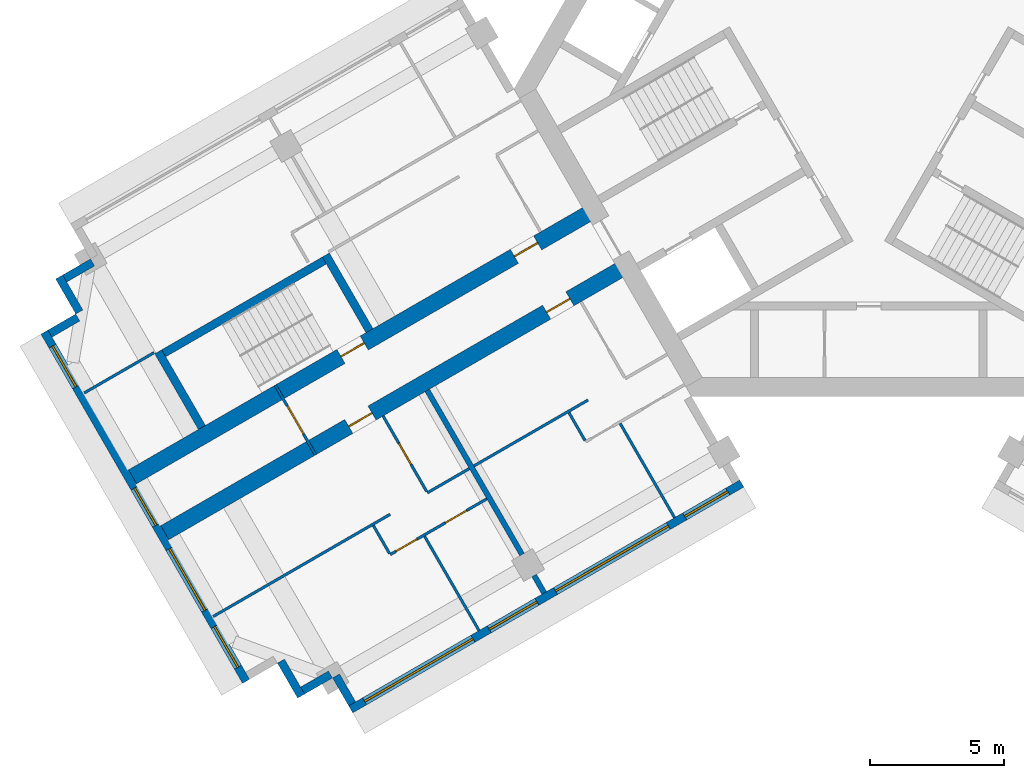
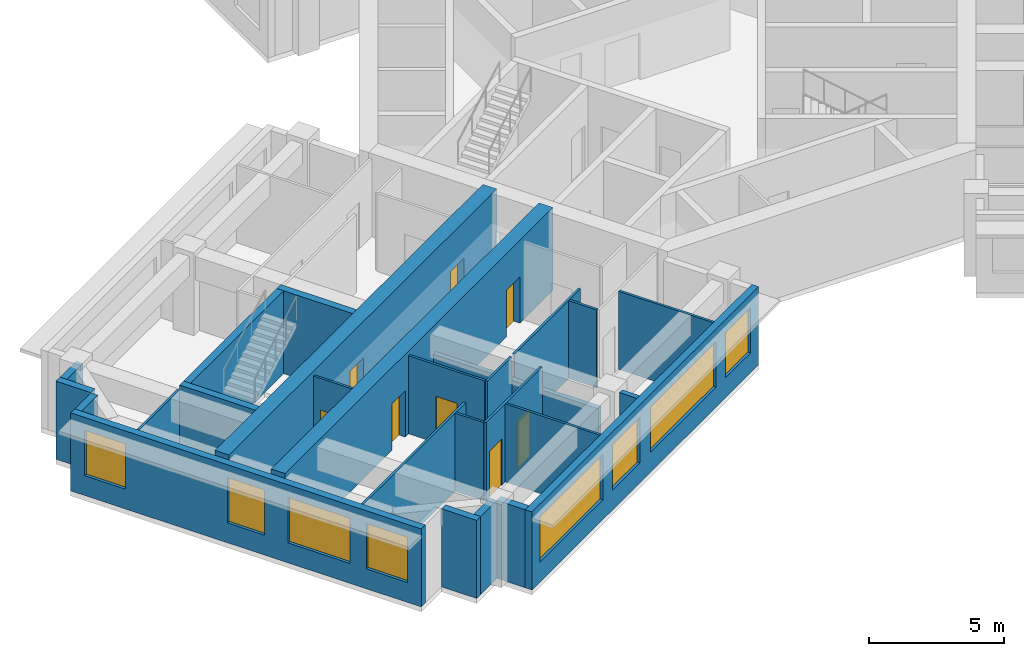
# One storey, part 2 of 10: 26 walls, 8 doors, 8 windows, 16 openings.
"""IFC4 building model written with IfcOpenShell, lengths in metres."""

import ifcopenshell
import ifcopenshell.guid

model = None  # the IFC model being written
_history = None  # IfcOwnerHistory: only IFC2X3 demands one
_inside = {}  # id of a spatial element -> (the spatial element, [elements in it])
_under = {}  # id of a project, library or spatial element -> (it, [spatial elements below it])
_declared = {}  # id of a project -> (the project, [libraries it declares])
_typed = {}  # id of a type object -> (the type object, [elements of that type])
_made_of = {}  # id of a material, layer set ... -> (it, [elements and type objects made of it])


def new_model(schema):
    """Start an empty IFC model of exactly this schema.

    Asked for "IFC4X3", IfcOpenShell would pick the latest addendum, in which some entities
    have other attributes; the version numbers below select the first issue.
    IFC2X3 requires an IfcOwnerHistory on every rooted entity: one is made here for all.
    """
    global model, _history
    if schema == "IFC4X3":
        model = ifcopenshell.file(schema_version=(4, 3, 0, 0))
    else:
        model = ifcopenshell.file(schema=schema)
    _inside.clear()
    _under.clear()
    _declared.clear()
    _typed.clear()
    _made_of.clear()
    _history = None
    if model.schema == "IFC2X3":
        org = make("IfcOrganization", Name="unknown")
        user = make(
            "IfcPersonAndOrganization",
            ThePerson=make("IfcPerson", FamilyName="unknown"),
            TheOrganization=org,
        )
        app = make(
            "IfcApplication",
            ApplicationDeveloper=org,
            Version="unknown",
            ApplicationFullName="unknown",
            ApplicationIdentifier="unknown",
        )
        _history = make(
            "IfcOwnerHistory",
            OwningUser=user,
            OwningApplication=app,
            ChangeAction="ADDED",
            CreationDate=0,
        )
    return model


def make(cls, **values):
    """One entity of the class cls with the attributes given. An attribute that is None is left unset."""
    return model.create_entity(
        cls, **{name: value for name, value in values.items() if value is not None}
    )


def rooted(cls, **values):
    """An entity with a GlobalId (a new one), such as an element, a storey or a relation."""
    return make(cls, GlobalId=ifcopenshell.guid.new(), OwnerHistory=_history, **values)


def si_unit(unit_type, name, prefix=None):
    """IfcSIUnit, for example si_unit("LENGTHUNIT", "METRE", prefix="MILLI")."""
    return make("IfcSIUnit", UnitType=unit_type, Prefix=prefix, Name=name)


def assignment(units):
    """IfcUnitAssignment: the units of a project."""
    return None if units is None else make("IfcUnitAssignment", Units=units)


def point(xyz):
    """IfcCartesianPoint."""
    return None if xyz is None else make("IfcCartesianPoint", Coordinates=xyz)


def direction(xyz):
    """IfcDirection."""
    return None if xyz is None else make("IfcDirection", DirectionRatios=xyz)


def frame(location, z_axis=None, x_axis=None):
    """IfcAxis2Placement3D, a coordinate frame: its origin and axes. An axis left out is left unset."""
    return make(
        "IfcAxis2Placement3D",
        Location=point(location),
        Axis=direction(z_axis),
        RefDirection=direction(x_axis),
    )


def frame_2d(location, x_axis=None):
    """IfcAxis2Placement2D, a coordinate frame in the plane: its origin and x axis."""
    return make(
        "IfcAxis2Placement2D", Location=point(location), RefDirection=direction(x_axis)
    )


def origin():
    """The frame at (0, 0, 0) with its axes left unset."""
    return frame((0.0, 0.0, 0.0))


def place(relative_to, where):
    """IfcLocalPlacement: puts the frame where relative to a parent placement (None: the world)."""
    return make(
        "IfcLocalPlacement", PlacementRelTo=relative_to, RelativePlacement=where
    )


def context(
    kind, dimensions, precision=None, world=None, true_north=None, identifier=None
):
    """IfcGeometricRepresentationContext, for example the 3D "Model" context."""
    return make(
        "IfcGeometricRepresentationContext",
        ContextIdentifier=identifier,
        ContextType=kind,
        CoordinateSpaceDimension=dimensions,
        Precision=precision,
        WorldCoordinateSystem=world,
        TrueNorth=true_north,
    )


def subcontext(parent, identifier, kind, view, scale=None):
    """IfcGeometricRepresentationSubContext, for example "Body" below "Model"."""
    return make(
        "IfcGeometricRepresentationSubContext",
        ContextIdentifier=identifier,
        ContextType=kind,
        ParentContext=parent,
        TargetScale=scale,
        TargetView=view,
    )


def project(units=None, contexts=None):
    """IfcProject with its units and contexts."""
    return rooted(
        "IfcProject",
        Name="project",
        RepresentationContexts=contexts,
        UnitsInContext=assignment(units),
    )


def spatial(cls, under=None, at=None, **own):
    """A site, building, storey or space (cls), placed at a placement, below another one or the project."""
    s = rooted(cls, ObjectPlacement=at, **own)
    if under is not None:
        _under.setdefault(under.id(), (under, []))[1].append(s)
    return s


def profile(cls, at=None, kind="AREA", **sizes):
    """A parametric profile (cls). Its sizes go by their IFC names, for example OverallWidth=200.0."""
    return make(cls, ProfileType=kind, Position=at, **sizes)


def rectangle(**sizes):
    """IfcRectangleProfileDef."""
    return profile("IfcRectangleProfileDef", **sizes)


def extrude(swept, where, along, depth):
    """IfcExtrudedAreaSolid: the profile swept, set in the frame where, extruded along a direction by depth."""
    return make(
        "IfcExtrudedAreaSolid",
        SweptArea=swept,
        Position=where,
        ExtrudedDirection=direction(along),
        Depth=depth,
    )


def shape(context_of_items, identifier, shape_type, items):
    """IfcShapeRepresentation: the items that make up one representation, for example the "Body"."""
    return make(
        "IfcShapeRepresentation",
        ContextOfItems=context_of_items,
        RepresentationIdentifier=identifier,
        RepresentationType=shape_type,
        Items=items,
    )


def material(Name=None, Category=None):
    """IfcMaterial."""
    return make("IfcMaterial", Name=Name, Category=Category)


def layer(
    of_material, thickness, ventilated=None, Name=None, Category=None, Priority=None
):
    """IfcMaterialLayer: one layer of a wall or slab, of a material (None: an air gap)."""
    return make(
        "IfcMaterialLayer",
        Material=of_material,
        LayerThickness=thickness,
        IsVentilated=ventilated,
        Name=Name,
        Category=Category,
        Priority=Priority,
    )


def layer_set(layers, Name=None):
    """IfcMaterialLayerSet."""
    return make("IfcMaterialLayerSet", MaterialLayers=layers, LayerSetName=Name)


def made_of(thing, what):
    """Note that an element or type object is made of a material, layer set ...; save() writes the relation."""
    if what is not None:
        _made_of.setdefault(what.id(), (what, []))[1].append(thing)
    return thing


def type_object(cls, material=None, **own):
    """A type object (cls), such as IfcWallType, which elements share."""
    return made_of(rooted(cls, **own), material)


def element(
    cls,
    number,
    at=None,
    inside=None,
    cuts=None,
    type_object=None,
    material=None,
    context=None,
    identifier="Body",
    shape_type=None,
    held_by="IfcProductDefinitionShape",
    body=None,
    shapes=None,
    **own,
):
    """One element of the class cls, such as IfcWall. Its Tag is "e" and its number.

    at: its placement. inside: the storey or other place that contains it. cuts: it is an
    opening in that element (IfcRelVoidsElement). A single representation is given by context,
    identifier, shape_type and body (its items); several are given by shapes. held_by: the class
    of the entity that holds the representations. save() writes the other relations.
    """
    e = rooted(cls, Tag="e%d" % number, ObjectPlacement=at, **own)
    if body is not None:
        shapes = [shape(context, identifier, shape_type, body)]
    if shapes is not None:
        e.Representation = make(held_by, Representations=shapes)
    if inside is not None:
        _inside.setdefault(inside.id(), (inside, []))[1].append(e)
    if cuts is not None:
        rooted(
            "IfcRelVoidsElement", RelatingBuildingElement=cuts, RelatedOpeningElement=e
        )
    if type_object is not None:
        _typed.setdefault(type_object.id(), (type_object, []))[1].append(e)
    return made_of(e, material)


def fill(opening, filler):
    """IfcRelFillsElement: the door or window that sits in an opening."""
    return rooted(
        "IfcRelFillsElement",
        RelatingOpeningElement=opening,
        RelatedBuildingElement=filler,
    )


def aggregate(whole, parts):
    """IfcRelAggregates: a whole, such as a stair, and the parts it consists of."""
    return rooted("IfcRelAggregates", RelatingObject=whole, RelatedObjects=parts)


def save(model, path):
    """Write the relations noted so far, then the file.

    IfcRelAggregates (storeys below a building ...), IfcRelContainedInSpatialStructure (elements
    in a storey), IfcRelDefinesByType, IfcRelAssociatesMaterial and IfcRelDeclares: one each for
    every whole, place, type object, material and project.
    """
    for whole, parts in _under.values():
        aggregate(whole, parts)
    for where, things in _inside.values():
        rooted(
            "IfcRelContainedInSpatialStructure",
            RelatedElements=things,
            RelatingStructure=where,
        )
    for kind, things in _typed.values():
        rooted("IfcRelDefinesByType", RelatedObjects=things, RelatingType=kind)
    for what, things in _made_of.values():
        rooted("IfcRelAssociatesMaterial", RelatedObjects=things, RelatingMaterial=what)
    for by, libraries in _declared.values():
        rooted("IfcRelDeclares", RelatingContext=by, RelatedDefinitions=libraries)
    model.write(path)


model = new_model("IFC4")

# Units and contexts
model_context = context("Model", 3, precision=1e-05, world=origin(), true_north=direction((0.0, 1.0)))
body_context = subcontext(model_context, "Body", "Model", "MODEL_VIEW")
ifc_project = project(units=[si_unit("LENGTHUNIT", "METRE"), si_unit("AREAUNIT", "SQUARE_METRE"), si_unit("VOLUMEUNIT", "CUBIC_METRE"), si_unit("PLANEANGLEUNIT", "RADIAN"), si_unit("MASSUNIT", "GRAM", prefix="KILO")], contexts=[model_context])

# Site, building, storey
site_placement = place(None, origin())
site = spatial("IfcSite", under=ifc_project, at=site_placement, CompositionType="ELEMENT")
building_placement = place(site_placement, origin())
building = spatial("IfcBuilding", under=site, at=building_placement, Name="Impinga Residences", CompositionType="ELEMENT")
storey_placement = place(building_placement, frame((0.0, 0.0, 252.25)))
storey = spatial("IfcBuildingStorey", under=building, at=storey_placement, Name="L63", CompositionType="ELEMENT", Elevation=252.25)

# Wall, openings, doors
ifc_material_1 = material(Name="Concrete C60/75", Category="concrete")
ifc_layer_1 = layer(ifc_material_1, 0.60009765625)
ifc_layer_set_1 = layer_set([ifc_layer_1], Name="Concrete C60/75")
wall_type_1 = type_object("IfcWallType", Name="BW3 corridor buttress wall, L46 to L73 600", PredefinedType="SHEAR", material=ifc_layer_set_1)
wall_1_placement = place(storey_placement, frame((-8.996826171875, -6.580078125, 0.0), z_axis=(0.0, 0.0, 1.0), x_axis=(-0.866030540451, -0.499991102927, 0.0)))
wall_1 = element("IfcWall", 1, at=wall_1_placement, inside=storey, type_object=wall_type_1, Name="Corridor wall BW3 WC L63", PredefinedType="SHEAR", context=body_context, shape_type="SweptSolid", body=[
    extrude(rectangle(XDim=19.849853515625, YDim=0.60009765625, at=frame_2d((9.9248046875, 0.0))), origin(), (0.0, 0.0, 1.0), 3.75),
])
opening_1_placement = place(wall_1_placement, frame((2.449951171875, 0.0, 0.0)))
opening_1 = element("IfcOpeningElement", 2, at=opening_1_placement, cuts=wall_1, Name="Opening D1", PredefinedType="OPENING", context=body_context, shape_type="SweptSolid", body=[
    extrude(rectangle(XDim=1.0, YDim=2.10009765625, at=frame_2d((0.5, 1.050048828125))), frame((0.0, 0.31005859375, 0.0), z_axis=(0.0, -1.0, 0.0), x_axis=(1.0, 0.0, 0.0)), (0.0, 0.0, 1.0), 0.6201171875),
])
opening_2_placement = place(wall_1_placement, frame((10.949951171875, 0.0, 0.0)))
opening_2 = element("IfcOpeningElement", 3, at=opening_2_placement, cuts=wall_1, Name="Opening D1", PredefinedType="OPENING", context=body_context, shape_type="SweptSolid", body=[
    extrude(rectangle(XDim=1.0, YDim=2.10009765625, at=frame_2d((0.5, 1.050048828125))), frame((0.0, 0.31005859375, 0.0), z_axis=(0.0, -1.0, 0.0), x_axis=(1.0, 0.0, 0.0)), (0.0, 0.0, 1.0), 0.6201171875),
])
ifc_material_2 = material(Name="Timber door set", Category="wood")
door_type_1 = type_object("IfcDoorType", Name="D1 apartment entrance door 1000x2100", OperationType="SINGLE_SWING_LEFT", PredefinedType="DOOR", material=ifc_material_2)
door_1_placement = place(opening_1_placement, origin())
door_1 = element("IfcDoor", 4, at=door_1_placement, inside=storey, type_object=door_type_1, Name="Apartment L63-WA1 entrance", OperationType="SINGLE_SWING_LEFT", OverallHeight=2.10009765625, OverallWidth=1.0, PredefinedType="DOOR", context=body_context, shape_type="SweptSolid", body=[
    extrude(rectangle(XDim=1.0, YDim=2.10009765625, at=frame_2d((0.5, 1.050048828125))), frame((0.0, 0.02490234375, 0.0), z_axis=(0.0, -1.0, 0.0), x_axis=(1.0, 0.0, 0.0)), (0.0, 0.0, 1.0), 0.050048828125),
])
fill(opening_1, door_1)
door_2_placement = place(opening_2_placement, origin())
door_2 = element("IfcDoor", 5, at=door_2_placement, inside=storey, type_object=door_type_1, Name="Apartment L63-WA2 entrance", OperationType="SINGLE_SWING_RIGHT", OverallHeight=2.10009765625, OverallWidth=1.0, PredefinedType="DOOR", context=body_context, shape_type="SweptSolid", body=[
    extrude(rectangle(XDim=1.0, YDim=2.10009765625, at=frame_2d((0.5, 1.050048828125))), frame((0.0, 0.02490234375, 0.0), z_axis=(0.0, -1.0, 0.0), x_axis=(1.0, 0.0, 0.0)), (0.0, 0.0, 1.0), 0.050048828125),
])
fill(opening_2, door_2)

wall_2_placement = place(storey_placement, frame((-10.19677734375, -4.50146484375, 0.0), z_axis=(0.0, 0.0, 1.0), x_axis=(-0.866025214745, -0.500000327426, 0.0)))
wall_2 = element("IfcWall", 6, at=wall_2_placement, inside=storey, type_object=wall_type_1, Name="Corridor wall BW3 WD L63", PredefinedType="SHEAR", context=body_context, shape_type="SweptSolid", body=[
    extrude(rectangle(XDim=19.85009765625, YDim=0.60009765625, at=frame_2d((9.925048828125, 0.0))), origin(), (0.0, 0.0, 1.0), 3.75),
])
opening_3_placement = place(wall_2_placement, frame((9.89990234375, 0.0, 0.0)))
opening_3 = element("IfcOpeningElement", 7, at=opening_3_placement, cuts=wall_2, Name="Opening D5", PredefinedType="OPENING", context=body_context, shape_type="SweptSolid", body=[
    extrude(rectangle(XDim=1.0, YDim=2.10009765625, at=frame_2d((0.5, 1.050048828125))), frame((0.0, 0.31005859375, 0.0), z_axis=(0.0, -1.0, 0.0), x_axis=(1.0, 0.0, 0.0)), (0.0, 0.0, 1.0), 0.6201171875),
])
opening_4_placement = place(wall_2_placement, frame((2.449951171875, 0.0, 0.0)))
opening_4 = element("IfcOpeningElement", 8, at=opening_4_placement, cuts=wall_2, Name="Opening D1", PredefinedType="OPENING", context=body_context, shape_type="SweptSolid", body=[
    extrude(rectangle(XDim=1.0, YDim=2.10009765625, at=frame_2d((0.5, 1.050048828125))), frame((0.0, 0.31005859375, 0.0), z_axis=(0.0, -1.0, 0.0), x_axis=(1.0, 0.0, 0.0)), (0.0, 0.0, 1.0), 0.6201171875),
])
door_3_placement = place(opening_4_placement, origin())
door_3 = element("IfcDoor", 9, at=door_3_placement, inside=storey, type_object=door_type_1, Name="Apartment L63-WF1 entrance", OperationType="SINGLE_SWING_LEFT", OverallHeight=2.10009765625, OverallWidth=1.0, PredefinedType="DOOR", context=body_context, shape_type="SweptSolid", body=[
    extrude(rectangle(XDim=1.0, YDim=2.10009765625, at=frame_2d((0.5, 1.050048828125))), frame((0.0, 0.02490234375, 0.0), z_axis=(0.0, -1.0, 0.0), x_axis=(1.0, 0.0, 0.0)), (0.0, 0.0, 1.0), 0.050048828125),
])
fill(opening_4, door_3)
door_type_2 = type_object("IfcDoorType", Name="D5 stair door 1000x2100", OperationType="SINGLE_SWING_LEFT", PredefinedType="DOOR", material=ifc_material_2)
door_4_placement = place(opening_3_placement, origin())
door_4 = element("IfcDoor", 10, at=door_4_placement, inside=storey, type_object=door_type_2, Name="Wing stair door W", OperationType="SINGLE_SWING_RIGHT", OverallHeight=2.10009765625, OverallWidth=1.0, PredefinedType="DOOR", context=body_context, shape_type="SweptSolid", body=[
    extrude(rectangle(XDim=1.0, YDim=2.10009765625, at=frame_2d((0.5, 1.050048828125))), frame((0.0, 0.02490234375, 0.0), z_axis=(0.0, -1.0, 0.0), x_axis=(1.0, 0.0, 0.0)), (0.0, 0.0, 1.0), 0.050048828125),
])
fill(opening_3, door_4)

# Wall, opening, door
ifc_material_3 = material(Name="Concrete blockwork", Category="masonry")
ifc_layer_2 = layer(ifc_material_3, 0.10009765625)
ifc_layer_set_2 = layer_set([ifc_layer_2], Name="CP1 core room partition, blockwork 100")
wall_type_2 = type_object("IfcWallType", Name="CP1 core room partition, blockwork 100", PredefinedType="PARTITIONING", material=ifc_layer_set_2)
wall_3_placement = place(storey_placement, frame((-20.58154296875, -13.61474609375, 0.0), z_axis=(0.0, 0.0, 1.0), x_axis=(-0.50002537861, 0.866010750942, 0.0)))
wall_3 = element("IfcWall", 11, at=wall_3_placement, inside=storey, type_object=wall_type_2, Name="Core room partition, blockwork L63:W:LNG", PredefinedType="PARTITIONING", context=body_context, shape_type="SweptSolid", body=[
    extrude(rectangle(XDim=2.999755859375, YDim=0.10009765625, at=frame_2d((1.5, 0.0))), origin(), (0.0, 0.0, 1.0), 3.530029296875),
])
opening_5_placement = place(wall_3_placement, frame((0.89990234375, 0.0, 0.0)))
opening_5 = element("IfcOpeningElement", 12, at=opening_5_placement, cuts=wall_3, Name="Opening D3", PredefinedType="OPENING", context=body_context, shape_type="SweptSolid", body=[
    extrude(rectangle(XDim=1.199951171875, YDim=2.10009765625, at=frame_2d((0.60009765625, 1.050048828125))), frame((0.0, 0.06005859375, 0.0), z_axis=(0.0, -1.0, 0.0), x_axis=(1.0, 0.0, 0.0)), (0.0, 0.0, 1.0), 0.1201171875),
])
door_type_3 = type_object("IfcDoorType", Name="D3 room door, leaf and a half 1200x2100", OperationType="DOUBLE_SWING_LEFT", PredefinedType="DOOR", material=ifc_material_2)
door_5_placement = place(opening_5_placement, origin())
door_5 = element("IfcDoor", 13, at=door_5_placement, inside=storey, type_object=door_type_3, Name="Residents' lounge door W", OperationType="DOUBLE_SWING_LEFT", OverallHeight=2.10009765625, OverallWidth=1.199951171875, PredefinedType="DOOR", context=body_context, shape_type="SweptSolid", body=[
    extrude(rectangle(XDim=1.199951171875, YDim=2.10009765625, at=frame_2d((0.60009765625, 1.050048828125))), frame((0.0, 0.02490234375, 0.0), z_axis=(0.0, -1.0, 0.0), x_axis=(1.0, 0.0, 0.0)), (0.0, 0.0, 1.0), 0.050048828125),
])
fill(opening_5, door_5)

# Walls
ifc_material_4 = material(Name="Terracotta rainscreen on blockwork", Category="masonry")
ifc_layer_3 = layer(ifc_material_4, 0.300048828125)
ifc_layer_set_3 = layer_set([ifc_layer_3], Name="EW1 external wall, terracotta rainscreen on blockwork 300")
wall_type_3 = type_object("IfcWallType", Name="EW1 external wall, terracotta rainscreen on blockwork 300", PredefinedType="SOLIDWALL", material=ifc_layer_set_3)
wall_4_placement = place(storey_placement, frame((-19.21923828125, -22.874267578125, 0.0), z_axis=(0.0, 0.0, 1.0), x_axis=(-0.500033551112, 0.866006032174, 0.0)))
element("IfcWall", 14, at=wall_4_placement, inside=storey, type_object=wall_type_3, Name="External wall EW1 L63", PredefinedType="SOLIDWALL", context=body_context, shape_type="SweptSolid", body=[
    extrude(rectangle(XDim=1.2001953125, YDim=0.300048828125, at=frame_2d((0.60009765625, 0.0))), origin(), (0.0, 0.0, 1.0), 3.530029296875),
])
wall_5_placement = place(storey_placement, frame((-20.028564453125, -21.782470703125, 0.0), z_axis=(0.0, 0.0, 1.0), x_axis=(-0.865971243484, -0.500093796661, 0.0)))
element("IfcWall", 15, at=wall_5_placement, inside=storey, type_object=wall_type_3, Name="External wall EW1 L63", PredefinedType="SOLIDWALL", context=body_context, shape_type="SweptSolid", body=[
    extrude(rectangle(XDim=1.195068359375, YDim=0.300048828125, at=frame_2d((0.59765625, 0.0))), origin(), (0.0, 0.0, 1.0), 3.530029296875),
])
wall_6_placement = place(storey_placement, frame((-21.118408203125, -22.5849609375, 0.0), z_axis=(0.0, 0.0, 1.0), x_axis=(-0.499990139034, 0.866031096941, 0.0)))
element("IfcWall", 16, at=wall_6_placement, inside=storey, type_object=wall_type_3, Name="External wall EW1 L63", PredefinedType="SOLIDWALL", context=body_context, shape_type="SweptSolid", body=[
    extrude(rectangle(XDim=1.5, YDim=0.300048828125, at=frame_2d((0.75, 0.0))), origin(), (0.0, 0.0, 1.0), 3.530029296875),
])

# Wall, openings, windows
wall_7_placement = place(storey_placement, frame((-23.16748046875, -22.035888671875, 0.0), z_axis=(0.0, 0.0, 1.0), x_axis=(-0.500004234368, 0.866022959057, 0.0)))
wall_7 = element("IfcWall", 17, at=wall_7_placement, inside=storey, type_object=wall_type_3, Name="External wall EW1 L63", PredefinedType="SOLIDWALL", context=body_context, shape_type="SweptSolid", body=[
    extrude(rectangle(XDim=14.999755859375, YDim=0.300048828125, at=frame_2d((7.5, 0.0))), origin(), (0.0, 0.0, 1.0), 3.530029296875),
])
opening_6_placement = place(wall_7_placement, frame((0.60009765625, 0.0, 0.89990234375)))
opening_6 = element("IfcOpeningElement", 18, at=opening_6_placement, cuts=wall_7, Name="Opening W1", PredefinedType="OPENING", context=body_context, shape_type="SweptSolid", body=[
    extrude(rectangle(XDim=1.75, YDim=2.050048828125, at=frame_2d((0.875, 1.02490234375))), frame((0.0, 0.159912109375, 0.0), z_axis=(0.0, -1.0, 0.0), x_axis=(1.0, 0.0, 0.0)), (0.0, 0.0, 1.0), 0.320068359375),
])
opening_7_placement = place(wall_7_placement, frame((3.050048828125, 0.0, 0.89990234375)))
opening_7 = element("IfcOpeningElement", 19, at=opening_7_placement, cuts=wall_7, Name="Opening W18", PredefinedType="OPENING", context=body_context, shape_type="SweptSolid", body=[
    extrude(rectangle(XDim=2.64990234375, YDim=2.050048828125, at=frame_2d((1.324951171875, 1.02490234375))), frame((0.0, 0.159912109375, 0.0), z_axis=(0.0, -1.0, 0.0), x_axis=(1.0, 0.0, 0.0)), (0.0, 0.0, 1.0), 0.320068359375),
])
opening_8_placement = place(wall_7_placement, frame((6.699951171875, 0.0, 0.89990234375)))
opening_8 = element("IfcOpeningElement", 20, at=opening_8_placement, cuts=wall_7, Name="Opening W19", PredefinedType="OPENING", context=body_context, shape_type="SweptSolid", body=[
    extrude(rectangle(XDim=1.60009765625, YDim=2.050048828125, at=frame_2d((0.800048828125, 1.02490234375))), frame((0.0, 0.159912109375, 0.0), z_axis=(0.0, -1.0, 0.0), x_axis=(1.0, 0.0, 0.0)), (0.0, 0.0, 1.0), 0.320068359375),
])
opening_9_placement = place(wall_7_placement, frame((12.64990234375, 0.0, 0.89990234375)))
opening_9 = element("IfcOpeningElement", 21, at=opening_9_placement, cuts=wall_7, Name="Opening W1", PredefinedType="OPENING", context=body_context, shape_type="SweptSolid", body=[
    extrude(rectangle(XDim=1.75, YDim=2.050048828125, at=frame_2d((0.875, 1.02490234375))), frame((0.0, 0.159912109375, 0.0), z_axis=(0.0, -1.0, 0.0), x_axis=(1.0, 0.0, 0.0)), (0.0, 0.0, 1.0), 0.320068359375),
])
ifc_material_5 = material(Name="Aluminium window, clear double glazing", Category="aluminium")
window_type_1 = type_object("IfcWindowType", Name="W1 ribbon window 1750x2050", PartitioningType="SINGLE_PANEL", PredefinedType="WINDOW", material=ifc_material_5)
window_1_placement = place(opening_6_placement, origin())
window_1 = element("IfcWindow", 22, at=window_1_placement, inside=storey, type_object=window_type_1, Name="Window L63", OverallHeight=2.050048828125, OverallWidth=1.75, PartitioningType="SINGLE_PANEL", PredefinedType="WINDOW", context=body_context, shape_type="SweptSolid", body=[
    extrude(rectangle(XDim=1.75, YDim=2.050048828125, at=frame_2d((0.875, 1.02490234375))), frame((0.0, 0.030029296875, 0.0), z_axis=(0.0, -1.0, 0.0), x_axis=(1.0, 0.0, 0.0)), (0.0, 0.0, 1.0), 0.06005859375),
])
fill(opening_6, window_1)
window_2_placement = place(opening_9_placement, origin())
window_2 = element("IfcWindow", 23, at=window_2_placement, inside=storey, type_object=window_type_1, Name="Window L63", OverallHeight=2.050048828125, OverallWidth=1.75, PartitioningType="SINGLE_PANEL", PredefinedType="WINDOW", context=body_context, shape_type="SweptSolid", body=[
    extrude(rectangle(XDim=1.75, YDim=2.050048828125, at=frame_2d((0.875, 1.02490234375))), frame((0.0, 0.030029296875, 0.0), z_axis=(0.0, -1.0, 0.0), x_axis=(1.0, 0.0, 0.0)), (0.0, 0.0, 1.0), 0.06005859375),
])
fill(opening_9, window_2)
window_type_2 = type_object("IfcWindowType", Name="W18 ribbon window 2650x2050", PartitioningType="SINGLE_PANEL", PredefinedType="WINDOW", material=ifc_material_5)
window_3_placement = place(opening_7_placement, origin())
window_3 = element("IfcWindow", 24, at=window_3_placement, inside=storey, type_object=window_type_2, Name="Window L63", OverallHeight=2.050048828125, OverallWidth=2.64990234375, PartitioningType="SINGLE_PANEL", PredefinedType="WINDOW", context=body_context, shape_type="SweptSolid", body=[
    extrude(rectangle(XDim=2.64990234375, YDim=2.050048828125, at=frame_2d((1.324951171875, 1.02490234375))), frame((0.0, 0.030029296875, 0.0), z_axis=(0.0, -1.0, 0.0), x_axis=(1.0, 0.0, 0.0)), (0.0, 0.0, 1.0), 0.06005859375),
])
fill(opening_7, window_3)
window_type_3 = type_object("IfcWindowType", Name="W19 ribbon window 1600x2050", PartitioningType="SINGLE_PANEL", PredefinedType="WINDOW", material=ifc_material_5)
window_4_placement = place(opening_8_placement, origin())
window_4 = element("IfcWindow", 25, at=window_4_placement, inside=storey, type_object=window_type_3, Name="Window L63", OverallHeight=2.050048828125, OverallWidth=1.60009765625, PartitioningType="SINGLE_PANEL", PredefinedType="WINDOW", context=body_context, shape_type="SweptSolid", body=[
    extrude(rectangle(XDim=1.60009765625, YDim=2.050048828125, at=frame_2d((0.800048828125, 1.02490234375))), frame((0.0, 0.030029296875, 0.0), z_axis=(0.0, -1.0, 0.0), x_axis=(1.0, 0.0, 0.0)), (0.0, 0.0, 1.0), 0.06005859375),
])
fill(opening_8, window_4)

# Walls
wall_8_placement = place(storey_placement, frame((-30.46240234375, -9.1005859375, 0.0), z_axis=(0.0, 0.0, 1.0), x_axis=(0.865971243484, 0.500093796661, 0.0)))
element("IfcWall", 26, at=wall_8_placement, inside=storey, type_object=wall_type_3, Name="External wall EW1 L63", PredefinedType="SOLIDWALL", context=body_context, shape_type="SweptSolid", body=[
    extrude(rectangle(XDim=1.195068359375, YDim=0.300048828125, at=frame_2d((0.59765625, 0.0))), origin(), (0.0, 0.0, 1.0), 3.530029296875),
])
wall_9_placement = place(storey_placement, frame((-29.368408203125, -8.295654296875, 0.0), z_axis=(0.0, 0.0, 1.0), x_axis=(-0.499990139034, 0.866031096941, 0.0)))
element("IfcWall", 27, at=wall_9_placement, inside=storey, type_object=wall_type_3, Name="External wall EW1 L63", PredefinedType="SOLIDWALL", context=body_context, shape_type="SweptSolid", body=[
    extrude(rectangle(XDim=1.5, YDim=0.300048828125, at=frame_2d((0.75, 0.0))), origin(), (0.0, 0.0, 1.0), 3.530029296875),
])
wall_10_placement = place(storey_placement, frame((-29.91357421875, -7.051513671875, 0.0), z_axis=(0.0, 0.0, 1.0), x_axis=(0.865971243484, 0.500093796661, 0.0)))
element("IfcWall", 28, at=wall_10_placement, inside=storey, type_object=wall_type_3, Name="External wall EW1 L63", PredefinedType="SOLIDWALL", context=body_context, shape_type="SweptSolid", body=[
    extrude(rectangle(XDim=1.195068359375, YDim=0.300048828125, at=frame_2d((0.59765625, 0.0))), origin(), (0.0, 0.0, 1.0), 3.530029296875),
])

# Wall, openings, windows
wall_11_placement = place(storey_placement, frame((-4.72509765625, -14.67919921875, 0.0), z_axis=(0.0, 0.0, 1.0), x_axis=(-0.86602562146, -0.499999622975, 0.0)))
wall_11 = element("IfcWall", 29, at=wall_11_placement, inside=storey, type_object=wall_type_3, Name="External wall EW1 L63", PredefinedType="SOLIDWALL", context=body_context, shape_type="SweptSolid", body=[
    extrude(rectangle(XDim=16.7998046875, YDim=0.300048828125, at=frame_2d((8.39990234375, 0.0))), origin(), (0.0, 0.0, 1.0), 3.530029296875),
])
opening_10_placement = place(wall_11_placement, frame((0.60009765625, 0.0, 0.89990234375)))
opening_10 = element("IfcOpeningElement", 30, at=opening_10_placement, cuts=wall_11, Name="Opening W15", PredefinedType="OPENING", context=body_context, shape_type="SweptSolid", body=[
    extrude(rectangle(XDim=1.85009765625, YDim=2.050048828125, at=frame_2d((0.925048828125, 1.02490234375))), frame((0.0, 0.159912109375, 0.0), z_axis=(0.0, -1.0, 0.0), x_axis=(1.0, 0.0, 0.0)), (0.0, 0.0, 1.0), 0.320068359375),
])
opening_11_placement = place(wall_11_placement, frame((3.14990234375, 0.0, 0.89990234375)))
opening_11 = element("IfcOpeningElement", 31, at=opening_11_placement, cuts=wall_11, Name="Opening W6", PredefinedType="OPENING", context=body_context, shape_type="SweptSolid", body=[
    extrude(rectangle(XDim=4.85009765625, YDim=2.050048828125, at=frame_2d((2.425048828125, 1.02490234375))), frame((0.0, 0.159912109375, 0.0), z_axis=(0.0, -1.0, 0.0), x_axis=(1.0, 0.0, 0.0)), (0.0, 0.0, 1.0), 0.320068359375),
])
opening_12_placement = place(wall_11_placement, frame((8.800048828125, 0.0, 0.89990234375)))
opening_12 = element("IfcOpeningElement", 32, at=opening_12_placement, cuts=wall_11, Name="Opening W14", PredefinedType="OPENING", context=body_context, shape_type="SweptSolid", body=[
    extrude(rectangle(XDim=2.050048828125, YDim=2.050048828125, at=frame_2d((1.02490234375, 1.02490234375))), frame((0.0, 0.159912109375, 0.0), z_axis=(0.0, -1.0, 0.0), x_axis=(1.0, 0.0, 0.0)), (0.0, 0.0, 1.0), 0.320068359375),
])
opening_13_placement = place(wall_11_placement, frame((11.550048828125, 0.0, 0.89990234375)))
opening_13 = element("IfcOpeningElement", 33, at=opening_13_placement, cuts=wall_11, Name="Opening W10", PredefinedType="OPENING", context=body_context, shape_type="SweptSolid", body=[
    extrude(rectangle(XDim=4.64990234375, YDim=2.050048828125, at=frame_2d((2.324951171875, 1.02490234375))), frame((0.0, 0.159912109375, 0.0), z_axis=(0.0, -1.0, 0.0), x_axis=(1.0, 0.0, 0.0)), (0.0, 0.0, 1.0), 0.320068359375),
])
window_type_4 = type_object("IfcWindowType", Name="W10 ribbon window 4650x2050", PartitioningType="SINGLE_PANEL", PredefinedType="WINDOW", material=ifc_material_5)
window_5_placement = place(opening_13_placement, origin())
window_5 = element("IfcWindow", 34, at=window_5_placement, inside=storey, type_object=window_type_4, Name="Window L63", OverallHeight=2.050048828125, OverallWidth=4.64990234375, PartitioningType="SINGLE_PANEL", PredefinedType="WINDOW", context=body_context, shape_type="SweptSolid", body=[
    extrude(rectangle(XDim=4.64990234375, YDim=2.050048828125, at=frame_2d((2.324951171875, 1.02490234375))), frame((0.0, 0.030029296875, 0.0), z_axis=(0.0, -1.0, 0.0), x_axis=(1.0, 0.0, 0.0)), (0.0, 0.0, 1.0), 0.06005859375),
])
fill(opening_13, window_5)
window_type_5 = type_object("IfcWindowType", Name="W14 ribbon window 2050x2050", PartitioningType="SINGLE_PANEL", PredefinedType="WINDOW", material=ifc_material_5)
window_6_placement = place(opening_12_placement, origin())
window_6 = element("IfcWindow", 35, at=window_6_placement, inside=storey, type_object=window_type_5, Name="Window L63", OverallHeight=2.050048828125, OverallWidth=2.050048828125, PartitioningType="SINGLE_PANEL", PredefinedType="WINDOW", context=body_context, shape_type="SweptSolid", body=[
    extrude(rectangle(XDim=2.050048828125, YDim=2.050048828125, at=frame_2d((1.02490234375, 1.02490234375))), frame((0.0, 0.030029296875, 0.0), z_axis=(0.0, -1.0, 0.0), x_axis=(1.0, 0.0, 0.0)), (0.0, 0.0, 1.0), 0.06005859375),
])
fill(opening_12, window_6)
window_type_6 = type_object("IfcWindowType", Name="W15 ribbon window 1850x2050", PartitioningType="SINGLE_PANEL", PredefinedType="WINDOW", material=ifc_material_5)
window_7_placement = place(opening_10_placement, origin())
window_7 = element("IfcWindow", 36, at=window_7_placement, inside=storey, type_object=window_type_6, Name="Window L63", OverallHeight=2.050048828125, OverallWidth=1.85009765625, PartitioningType="SINGLE_PANEL", PredefinedType="WINDOW", context=body_context, shape_type="SweptSolid", body=[
    extrude(rectangle(XDim=1.85009765625, YDim=2.050048828125, at=frame_2d((0.925048828125, 1.02490234375))), frame((0.0, 0.030029296875, 0.0), z_axis=(0.0, -1.0, 0.0), x_axis=(1.0, 0.0, 0.0)), (0.0, 0.0, 1.0), 0.06005859375),
])
fill(opening_10, window_7)
window_type_7 = type_object("IfcWindowType", Name="W6 ribbon window 4850x2050", PartitioningType="SINGLE_PANEL", PredefinedType="WINDOW", material=ifc_material_5)
window_8_placement = place(opening_11_placement, origin())
window_8 = element("IfcWindow", 37, at=window_8_placement, inside=storey, type_object=window_type_7, Name="Window L63", OverallHeight=2.050048828125, OverallWidth=4.85009765625, PartitioningType="SINGLE_PANEL", PredefinedType="WINDOW", context=body_context, shape_type="SweptSolid", body=[
    extrude(rectangle(XDim=4.85009765625, YDim=2.050048828125, at=frame_2d((2.425048828125, 1.02490234375))), frame((0.0, 0.030029296875, 0.0), z_axis=(0.0, -1.0, 0.0), x_axis=(1.0, 0.0, 0.0)), (0.0, 0.0, 1.0), 0.06005859375),
])
fill(opening_11, window_8)

# Walls
ifc_material_6 = material(Name="Gypsum board on steel studs", Category="steel")
ifc_layer_4 = layer(ifc_material_6, 0.10009765625)
ifc_layer_set_4 = layer_set([ifc_layer_4], Name="Gypsum board on steel studs")
wall_type_4 = type_object("IfcWallType", Name="IP1 partition 100", PredefinedType="PARTITIONING", material=ifc_layer_set_4)
wall_12_placement = place(storey_placement, frame((-10.444580078125, -11.57275390625, 0.0), z_axis=(0.0, 0.0, 1.0), x_axis=(-0.866023786258, -0.500002801628, 0.0)))
element("IfcWall", 38, at=wall_12_placement, inside=storey, type_object=wall_type_4, Name="Partition L63-WA1:DIV1", PredefinedType="PARTITIONING", context=body_context, shape_type="SweptSolid", body=[
    extrude(rectangle(XDim=4.89990234375, YDim=0.10009765625, at=frame_2d((2.449951171875, 0.0))), origin(), (0.0, 0.0, 1.0), 3.530029296875),
])
wall_13_placement = place(storey_placement, frame((-11.155517578125, -12.041015625, 0.0), z_axis=(0.0, 0.0, 1.0), x_axis=(0.499880961361, -0.866094119867, 0.0)))
element("IfcWall", 39, at=wall_13_placement, inside=storey, type_object=wall_type_4, Name="Partition L63-WA1:SE1", PredefinedType="PARTITIONING", context=body_context, shape_type="SweptSolid", body=[
    extrude(rectangle(XDim=1.199951171875, YDim=0.10009765625, at=frame_2d((0.60009765625, 0.0))), origin(), (0.0, 0.0, 1.0), 3.530029296875),
])
wall_14_placement = place(storey_placement, frame((-9.249755859375, -12.44189453125, 0.0), z_axis=(0.0, 0.0, 1.0), x_axis=(0.499990325971, -0.866030989016, 0.0)))
element("IfcWall", 40, at=wall_14_placement, inside=storey, type_object=wall_type_4, Name="Partition L63-WA1:OB1", PredefinedType="PARTITIONING", context=body_context, shape_type="SweptSolid", body=[
    extrude(rectangle(XDim=4.0498046875, YDim=0.10009765625, at=frame_2d((2.02490234375, 0.0))), origin(), (0.0, 0.0, 1.0), 3.530029296875),
])
wall_15_placement = place(storey_placement, frame((-14.861328125, -14.122802734375, 0.0), z_axis=(0.0, 0.0, 1.0), x_axis=(-0.866047807691, -0.499961193289, 0.0)))
element("IfcWall", 41, at=wall_15_placement, inside=storey, type_object=wall_type_4, Name="Partition L63-WA2:DIV0", PredefinedType="PARTITIONING", context=body_context, shape_type="SweptSolid", body=[
    extrude(rectangle(XDim=1.800048828125, YDim=0.10009765625, at=frame_2d((0.89990234375, 0.0))), origin(), (0.0, 0.0, 1.0), 3.530029296875),
])
wall_16_placement = place(storey_placement, frame((-17.8056640625, -15.82275390625, 0.0), z_axis=(0.0, 0.0, 1.0), x_axis=(-0.866022425744, -0.500005158081, 0.0)))
element("IfcWall", 42, at=wall_16_placement, inside=storey, type_object=wall_type_4, Name="Partition L63-WA2:DIV1", PredefinedType="PARTITIONING", context=body_context, shape_type="SweptSolid", body=[
    extrude(rectangle(XDim=7.60009765625, YDim=0.10009765625, at=frame_2d((3.800048828125, 0.0))), origin(), (0.0, 0.0, 1.0), 3.530029296875),
])

# Wall, openings, doors
wall_17_placement = place(storey_placement, frame((-14.211181640625, -15.24853515625, 0.0), z_axis=(0.0, 0.0, 1.0), x_axis=(-0.86602981871, -0.499992353047, 0.0)))
wall_17 = element("IfcWall", 43, at=wall_17_placement, inside=storey, type_object=wall_type_4, Name="Partition L63-WA2:STRIP", PredefinedType="PARTITIONING", context=body_context, shape_type="SweptSolid", body=[
    extrude(rectangle(XDim=4.14990234375, YDim=0.10009765625, at=frame_2d((2.074951171875, 0.0))), origin(), (0.0, 0.0, 1.0), 3.530029296875),
])
opening_14_placement = place(wall_17_placement, frame((0.875, 0.0, 0.0)))
opening_14 = element("IfcOpeningElement", 44, at=opening_14_placement, cuts=wall_17, Name="Opening D2", PredefinedType="OPENING", context=body_context, shape_type="SweptSolid", body=[
    extrude(rectangle(XDim=0.89990234375, YDim=2.10009765625, at=frame_2d((0.449951171875, 1.050048828125))), frame((0.0, 0.06005859375, 0.0), z_axis=(0.0, -1.0, 0.0), x_axis=(1.0, 0.0, 0.0)), (0.0, 0.0, 1.0), 0.1201171875),
])
opening_15_placement = place(wall_17_placement, frame((3.0, 0.0, 0.0)))
opening_15 = element("IfcOpeningElement", 45, at=opening_15_placement, cuts=wall_17, Name="Opening D2", PredefinedType="OPENING", context=body_context, shape_type="SweptSolid", body=[
    extrude(rectangle(XDim=0.89990234375, YDim=2.10009765625, at=frame_2d((0.449951171875, 1.050048828125))), frame((0.0, 0.06005859375, 0.0), z_axis=(0.0, -1.0, 0.0), x_axis=(1.0, 0.0, 0.0)), (0.0, 0.0, 1.0), 0.1201171875),
])
door_type_4 = type_object("IfcDoorType", Name="D2 internal door 900x2100", OperationType="SINGLE_SWING_LEFT", PredefinedType="DOOR", material=ifc_material_2)
door_6_placement = place(opening_14_placement, origin())
door_6 = element("IfcDoor", 46, at=door_6_placement, inside=storey, type_object=door_type_4, Name="Apartment L63-WA2 room door", OperationType="SINGLE_SWING_LEFT", OverallHeight=2.10009765625, OverallWidth=0.89990234375, PredefinedType="DOOR", context=body_context, shape_type="SweptSolid", body=[
    extrude(rectangle(XDim=0.89990234375, YDim=2.10009765625, at=frame_2d((0.449951171875, 1.050048828125))), frame((0.0, 0.02490234375, 0.0), z_axis=(0.0, -1.0, 0.0), x_axis=(1.0, 0.0, 0.0)), (0.0, 0.0, 1.0), 0.050048828125),
])
fill(opening_14, door_6)
door_7_placement = place(opening_15_placement, origin())
door_7 = element("IfcDoor", 47, at=door_7_placement, inside=storey, type_object=door_type_4, Name="Apartment L63-WA2 room door", OperationType="SINGLE_SWING_RIGHT", OverallHeight=2.10009765625, OverallWidth=0.89990234375, PredefinedType="DOOR", context=body_context, shape_type="SweptSolid", body=[
    extrude(rectangle(XDim=0.89990234375, YDim=2.10009765625, at=frame_2d((0.449951171875, 1.050048828125))), frame((0.0, 0.02490234375, 0.0), z_axis=(0.0, -1.0, 0.0), x_axis=(1.0, 0.0, 0.0)), (0.0, 0.0, 1.0), 0.050048828125),
])
fill(opening_15, door_7)

# Wall
wall_18_placement = place(storey_placement, frame((-18.43017578125, -16.240966796875, 0.0), z_axis=(0.0, 0.0, 1.0), x_axis=(0.499880961361, -0.866094119867, 0.0)))
element("IfcWall", 48, at=wall_18_placement, inside=storey, type_object=wall_type_4, Name="Partition L63-WA2:SE1", PredefinedType="PARTITIONING", context=body_context, shape_type="SweptSolid", body=[
    extrude(rectangle(XDim=1.199951171875, YDim=0.10009765625, at=frame_2d((0.60009765625, 0.0))), origin(), (0.0, 0.0, 1.0), 3.530029296875),
])

# Wall, opening, door
wall_19_placement = place(storey_placement, frame((-18.070068359375, -12.164794921875, 0.0), z_axis=(0.0, 0.0, 1.0), x_axis=(0.499984717929, -0.866034226713, 0.0)))
wall_19 = element("IfcWall", 49, at=wall_19_placement, inside=storey, type_object=wall_type_4, Name="Partition L63-WA2:IB1", PredefinedType="PARTITIONING", context=body_context, shape_type="SweptSolid", body=[
    extrude(rectangle(XDim=3.25, YDim=0.10009765625, at=frame_2d((1.625, 0.0))), origin(), (0.0, 0.0, 1.0), 3.530029296875),
])
opening_16_placement = place(wall_19_placement, frame((1.175048828125, 0.0, 0.0)))
opening_16 = element("IfcOpeningElement", 50, at=opening_16_placement, cuts=wall_19, Name="Opening D2", PredefinedType="OPENING", context=body_context, shape_type="SweptSolid", body=[
    extrude(rectangle(XDim=0.89990234375, YDim=2.10009765625, at=frame_2d((0.449951171875, 1.050048828125))), frame((0.0, 0.06005859375, 0.0), z_axis=(0.0, -1.0, 0.0), x_axis=(1.0, 0.0, 0.0)), (0.0, 0.0, 1.0), 0.1201171875),
])
door_8_placement = place(opening_16_placement, origin())
door_8 = element("IfcDoor", 51, at=door_8_placement, inside=storey, type_object=door_type_4, Name="Apartment L63-WA2 bathroom door", OperationType="SINGLE_SWING_LEFT", OverallHeight=2.10009765625, OverallWidth=0.89990234375, PredefinedType="DOOR", context=body_context, shape_type="SweptSolid", body=[
    extrude(rectangle(XDim=0.89990234375, YDim=2.10009765625, at=frame_2d((0.449951171875, 1.050048828125))), frame((0.0, 0.02490234375, 0.0), z_axis=(0.0, -1.0, 0.0), x_axis=(1.0, 0.0, 0.0)), (0.0, 0.0, 1.0), 0.050048828125),
])
fill(opening_16, door_8)

# Walls
wall_20_placement = place(storey_placement, frame((-16.5244140625, -16.641845703125, 0.0), z_axis=(0.0, 0.0, 1.0), x_axis=(0.499990325971, -0.866030989016, 0.0)))
element("IfcWall", 52, at=wall_20_placement, inside=storey, type_object=wall_type_4, Name="Partition L63-WA2:OB1", PredefinedType="PARTITIONING", context=body_context, shape_type="SweptSolid", body=[
    extrude(rectangle(XDim=4.0498046875, YDim=0.10009765625, at=frame_2d((2.02490234375, 0.0))), origin(), (0.0, 0.0, 1.0), 3.530029296875),
])
wall_21_placement = place(storey_placement, frame((-26.58935546875, -9.808837890625, 0.0), z_axis=(0.0, 0.0, 1.0), x_axis=(-0.866031096941, -0.499990139034, 0.0)))
element("IfcWall", 53, at=wall_21_placement, inside=storey, type_object=wall_type_4, Name="Partition L63-WF1:DIV2", PredefinedType="PARTITIONING", context=body_context, shape_type="SweptSolid", body=[
    extrude(rectangle(XDim=3.0, YDim=0.10009765625, at=frame_2d((1.5, 0.0))), origin(), (0.0, 0.0, 1.0), 3.530029296875),
])
ifc_layer_5 = layer(ifc_material_3, 0.199951171875)
ifc_layer_set_5 = layer_set([ifc_layer_5], Name="PW1 party wall between apartments 200")
wall_type_5 = type_object("IfcWallType", Name="PW1 party wall between apartments 200", PredefinedType="SOLIDWALL", material=ifc_layer_set_5)
wall_22_placement = place(storey_placement, frame((-16.424560546875, -11.21484375, 0.0), z_axis=(0.0, 0.0, 1.0), x_axis=(0.499990246421, -0.866031034943, 0.0)))
element("IfcWall", 54, at=wall_22_placement, inside=storey, type_object=wall_type_5, Name="Party wall between apartments L63-WA1:PARTY", PredefinedType="SOLIDWALL", context=body_context, shape_type="SweptSolid", body=[
    extrude(rectangle(XDim=7.050048828125, YDim=0.199951171875, at=frame_2d((3.52490234375, 0.0))), origin(), (0.0, 0.0, 1.0), 2.47998046875),
])
wall_23_placement = place(storey_placement, frame((-12.44970703125, -18.099609375, 0.0), z_axis=(0.0, 0.0, 1.0), x_axis=(0.499919672301, -0.866071776036, 0.0)))
element("IfcWall", 55, at=wall_23_placement, inside=storey, type_object=wall_type_5, Name="Party wall between apartments L63-WA1:PARTYb", PredefinedType="SOLIDWALL", context=body_context, shape_type="SweptSolid", body=[
    extrude(rectangle(XDim=0.75, YDim=0.199951171875, at=frame_2d((0.375, 0.0))), origin(), (0.0, 0.0, 1.0), 3.530029296875),
])
ifc_layer_6 = layer(ifc_material_1, 0.300048828125)
ifc_layer_set_6 = layer_set([ifc_layer_6], Name="Concrete C60/75")
wall_type_6 = type_object("IfcWallType", Name="SE1 wing stair enclosure wall 300", PredefinedType="SOLIDWALL", material=ifc_layer_set_6)
for number, where, z_axis, x_axis, name in (
    (56, (-18.57421875, -8.99169921875, 0.0), (0.0, 0.0, 1.0), (-0.500017246033, 0.866015446554, 0.0), "Stair enclosure wall SE1 W END0 L63"),
    (57, (-24.8095703125, -12.591796875, 0.0), (0.0, 0.0, 1.0), (-0.499984717929, 0.866034226713, 0.0), "Stair enclosure wall SE1 W END1 L63"),
):
    element("IfcWall", number, at=place(storey_placement, frame(where, z_axis=z_axis, x_axis=x_axis)), inside=storey, type_object=wall_type_6, Name=name, PredefinedType="SOLIDWALL", context=body_context, shape_type="SweptSolid", body=[
        extrude(rectangle(XDim=3.25, YDim=0.300048828125, at=frame_2d((1.625, 0.0))), origin(), (0.0, 0.0, 1.0), 3.75),
    ])
wall_24_placement = place(storey_placement, frame((-20.254150390625, -6.382080078125, 0.0), z_axis=(0.0, 0.0, 1.0), x_axis=(-0.866020008033, -0.500009345598, 0.0)))
element("IfcWall", 58, at=wall_24_placement, inside=storey, type_object=wall_type_6, Name="Stair enclosure wall SE1 W OUT L63", PredefinedType="SOLIDWALL", context=body_context, shape_type="SweptSolid", body=[
    extrude(rectangle(XDim=6.899658203125, YDim=0.300048828125, at=frame_2d((3.44970703125, 0.0))), origin(), (0.0, 0.0, 1.0), 3.75),
])

save(model, "model.ifc")
